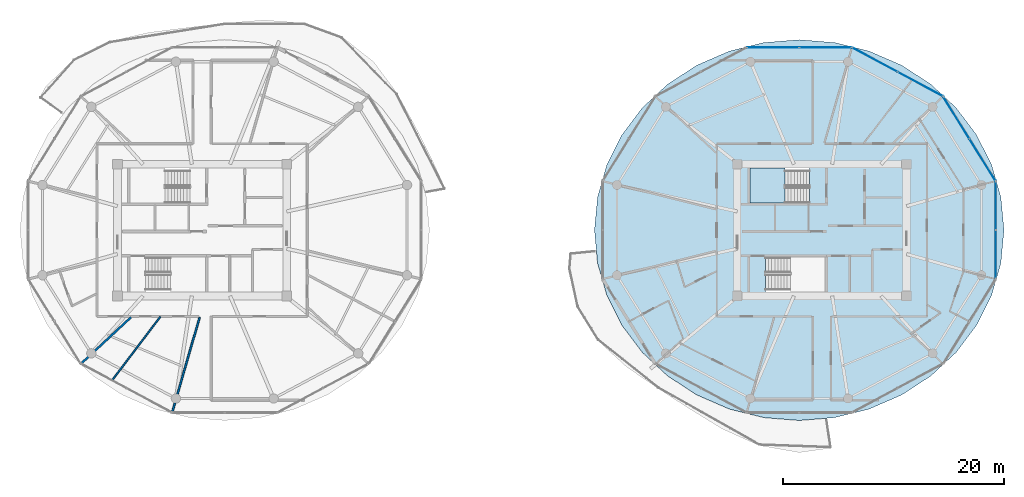
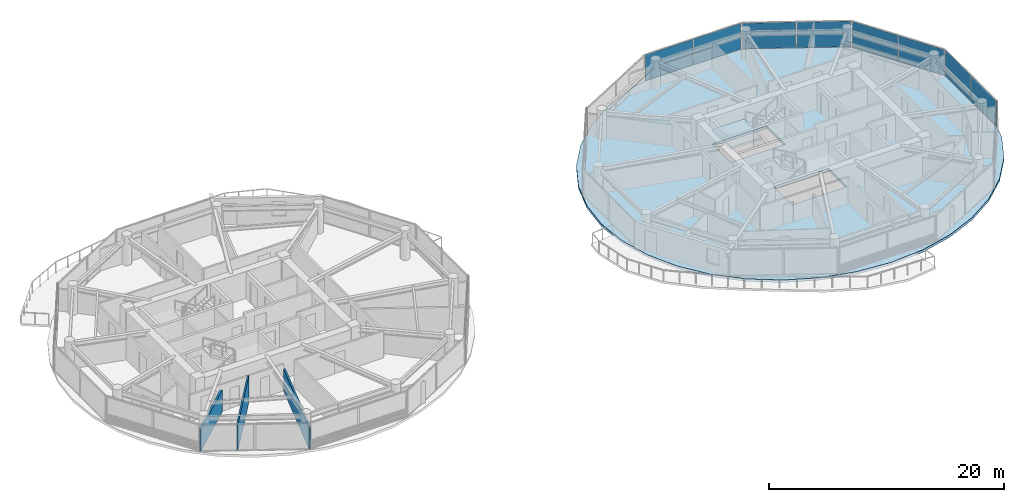
# One storey, part 14 of 23: 8 plates, 3 walls, 2 slabs, 5 elements without a shape of their own.
"""IFC4 building model written with IfcOpenShell, lengths in metres."""

from ifc_helpers import new_model, si_unit, direction, frame, frame_2d, origin, origin_2d, place, context, subcontext, project, spatial, polyline, rectangle, outline, extrude, source, transform, mapped, material, layer, layer_set, type_object, type_shapes, element, aggregate, save


model = new_model("IFC4")

# Units and contexts
model_context = context("Model", 3, precision=1e-05, world=origin(), true_north=direction((0.0, 1.0)))
body_context = subcontext(model_context, "Body", "Model", "MODEL_VIEW")
ifc_project = project(units=[si_unit("LENGTHUNIT", "METRE"), si_unit("AREAUNIT", "SQUARE_METRE"), si_unit("VOLUMEUNIT", "CUBIC_METRE"), si_unit("PLANEANGLEUNIT", "RADIAN"), si_unit("MASSUNIT", "GRAM", prefix="KILO")], contexts=[model_context])

# Site, building, storey
site_placement = place(None, origin())
site = spatial("IfcSite", under=ifc_project, at=site_placement, CompositionType="ELEMENT")
building_placement = place(site_placement, origin())
building = spatial("IfcBuilding", under=site, at=building_placement, Name="Norrkilde Senior Care Towers", CompositionType="ELEMENT")
storey_placement = place(building_placement, frame((0.0, 0.0, 81.0)))
storey = spatial("IfcBuildingStorey", under=building, at=storey_placement, Name="L24", CompositionType="ELEMENT", Elevation=81.0)

# Stair, slab
ifc_material_1 = material(Name="Concrete C45/55", Category="concrete")
stair_type = type_object("IfcStairType", Name="Core Protected Dogleg Stair Typical 3050", PredefinedType="HALF_TURN_STAIR", material=ifc_material_1)
stair_placement = place(storey_placement, origin())
stair = element("IfcStair", 1, at=stair_placement, inside=storey, type_object=stair_type, Name="L24 Protected Core Stair E1", PredefinedType="HALF_TURN_STAIR")
ifc_layer_1 = layer(ifc_material_1, 0.199951171875)
ifc_layer_set_1 = layer_set([ifc_layer_1], Name="Concrete C45/55")
slab_type_1 = type_object("IfcSlabType", Name="Stair Landing Slab 200", PredefinedType="LANDING", material=ifc_layer_set_1)
slab_1_placement = place(storey_placement, frame((0.0, 0.0, 1.324951171875)))
slab_1 = element("IfcSlab", 2, at=slab_1_placement, type_object=slab_type_1, Name="ST-E1 landing 1", PredefinedType="LANDING", context=body_context, shape_type="SweptSolid", body=[
    extrude(outline(polyline([(24.659912109375, 5.590087890625), (21.5, 5.590087890625), (21.5, 2.449951171875), (24.659912109375, 2.449951171875), (24.659912109375, 5.590087890625)])), origin(), (0.0, 0.0, 1.0), 0.199951171875),
])
aggregate(stair, [slab_1])

# Slab
ifc_material_2 = material(Name="Concrete C50/60", Category="concrete")
ifc_layer_2 = layer(ifc_material_2, 0.260009765625)
ifc_layer_set_2 = layer_set([ifc_layer_2], Name="Concrete C50/60")
slab_type_2 = type_object("IfcSlabType", Name="Tower Care Floor Slab 260", PredefinedType="FLOOR", material=ifc_layer_set_2)
slab_2_placement = place(storey_placement, frame((0.0, 0.0, -0.260009765625)))
element("IfcSlab", 3, at=slab_2_placement, inside=storey, type_object=slab_type_2, Name="L24 Drum E Structural Floor Slab", PredefinedType="FLOOR", context=body_context, shape_type="SweptSolid", body=[
    extrude(outline(polyline([(43.334228515625, -5.8828125), (41.971435546875, -8.60009765625), (40.121826171875, -11.055908203125), (37.841552734375, -13.176025390625), (35.199951171875, -14.895751953125), (32.27734375, -16.16259765625), (29.16259765625, -16.938720703125), (25.949951171875, -17.199951171875), (22.737548828125, -16.938720703125), (19.62255859375, -16.16259765625), (16.699951171875, -14.895751953125), (14.058349609375, -13.176025390625), (11.778076171875, -11.055908203125), (9.928466796875, -8.60009765625), (8.565673828125, -5.8828125), (7.73095703125, -2.98681640625), (7.449951171875, 0.0), (7.73095703125, 2.98681640625), (8.565673828125, 5.8828125), (9.928466796875, 8.60009765625), (11.778076171875, 11.055908203125), (14.058349609375, 13.176025390625), (16.699951171875, 14.895751953125), (19.62255859375, 16.16259765625), (22.737548828125, 16.938720703125), (25.949951171875, 17.199951171875), (29.16259765625, 16.938720703125), (32.27734375, 16.16259765625), (35.199951171875, 14.895751953125), (37.841552734375, 13.176025390625), (40.121826171875, 11.055908203125), (41.971435546875, 8.60009765625), (43.334228515625, 5.8828125), (44.1689453125, 2.98681640625), (44.449951171875, 0.0), (44.1689453125, -2.98681640625), (43.334228515625, -5.8828125)]), holes=[polyline([(21.51806640625, 2.468017578125), (26.882080078125, 2.468017578125), (26.882080078125, 5.590087890625), (21.51806640625, 5.590087890625), (21.51806640625, 2.468017578125)]), polyline([(28.281982421875, -5.590087890625), (28.281982421875, -2.468017578125), (22.91796875, -2.468017578125), (22.91796875, -5.590087890625), (28.281982421875, -5.590087890625)])]), origin(), (0.0, 0.0, 1.0), 0.260009765625),
])

# Curtain wall, plates
ifc_material_3 = material(Name="Triple Low-E Insulated Glazing", Category="glass")
ifc_layer_3 = layer(ifc_material_3, 0.195068359375)
ifc_layer_set_3 = layer_set([ifc_layer_3], Name="Triple Low-E Insulated Glazing")
curtain_wall_type = type_object("IfcCurtainWallType", Name="CW3 Zone 2 Assisted Living Curtain Wall", PredefinedType="NOTDEFINED", material=ifc_layer_set_3)
curtain_wall_1_placement = place(storey_placement, origin())
curtain_wall_1 = element("IfcCurtainWall", 4, at=curtain_wall_1_placement, inside=storey, type_object=curtain_wall_type, Name="L24 Drum E Curtain Wall 00", PredefinedType="NOTDEFINED")
ifc_layer_4 = layer(ifc_material_3, 0.035888671875)
ifc_layer_set_4 = layer_set([ifc_layer_4], Name="Triple Low-E Insulated Glazing")
plate_type = type_object("IfcPlateType", Name="Triple Low-E Vision Curtain Panel 36", PredefinedType="CURTAIN_PANEL", material=ifc_layer_set_4)
shared_shape_1 = source(origin(), body_context, "Body", "SweptSolid", [
    extrude(rectangle(XDim=4.40966796875, YDim=0.035888671875, at=origin_2d()), origin(), (0.0, 0.0, 1.0), 2.669921875),
])
plate_1_placement = place(storey_placement, frame((40.14453125, 10.1494140625, 0.06005859375), z_axis=(0.0, 0.0, 1.0), x_axis=(0.527733228002, -0.849410171862, 0.0)))
plate_1 = element("IfcPlate", 5, at=plate_1_placement, type_object=plate_type, Name="CW-3 panel 1.1", PredefinedType="CURTAIN_PANEL", context=body_context, shape_type="MappedRepresentation", body=[
    mapped(shared_shape_1, transform((0.0, 0.0, 0.0), x_axis=(1.0, 0.0, 0.0), y_axis=(0.0, 1.0, 0.0), z_axis=(0.0, 0.0, 1.0), scale=1.0)),
])
plate_2_placement = place(storey_placement, frame((42.505859375, 6.3486328125, 0.06005859375), z_axis=(0.0, 0.0, 1.0), x_axis=(0.527733228002, -0.849410171862, 0.0)))
plate_2 = element("IfcPlate", 6, at=plate_2_placement, type_object=plate_type, Name="CW-3 panel 2.1", PredefinedType="CURTAIN_PANEL", context=body_context, shape_type="MappedRepresentation", body=[
    mapped(shared_shape_1, transform((0.0, 0.0, 0.0), x_axis=(1.0, 0.0, 0.0), y_axis=(0.0, 1.0, 0.0), z_axis=(0.0, 0.0, 1.0), scale=1.0)),
])
aggregate(curtain_wall_1, [plate_1, plate_2])

curtain_wall_2_placement = place(storey_placement, origin())
curtain_wall_2 = element("IfcCurtainWall", 7, at=curtain_wall_2_placement, inside=storey, type_object=curtain_wall_type, Name="L24 Drum E Curtain Wall 02", PredefinedType="NOTDEFINED")
shared_shape_2 = source(origin(), body_context, "Body", "SweptSolid", [
    extrude(rectangle(XDim=4.65966796875, YDim=0.035888671875, at=origin_2d()), origin(), (0.0, 0.0, 1.0), 2.669921875),
])
plate_3_placement = place(storey_placement, frame((23.587646484375, 16.498046875, 0.06005859375), z_axis=(0.0, 0.0, 1.0), x_axis=(1.0, 0.0, 0.0)))
plate_3 = element("IfcPlate", 8, at=plate_3_placement, type_object=plate_type, Name="CW-3 panel 1.1", PredefinedType="CURTAIN_PANEL", context=body_context, shape_type="MappedRepresentation", body=[
    mapped(shared_shape_2, transform((0.0, 0.0, 0.0), x_axis=(1.0, 0.0, 0.0), y_axis=(0.0, 1.0, 0.0), z_axis=(0.0, 0.0, 1.0), scale=1.0)),
])
plate_4_placement = place(storey_placement, frame((28.312255859375, 16.498046875, 0.06005859375), z_axis=(0.0, 0.0, 1.0), x_axis=(1.0, 0.0, 0.0)))
plate_4 = element("IfcPlate", 9, at=plate_4_placement, type_object=plate_type, Name="CW-3 panel 2.1", PredefinedType="CURTAIN_PANEL", context=body_context, shape_type="MappedRepresentation", body=[
    mapped(shared_shape_2, transform((0.0, 0.0, 0.0), x_axis=(1.0, 0.0, 0.0), y_axis=(0.0, 1.0, 0.0), z_axis=(0.0, 0.0, 1.0), scale=1.0)),
])
aggregate(curtain_wall_2, [plate_3, plate_4])

curtain_wall_3_placement = place(storey_placement, origin())
curtain_wall_3 = element("IfcCurtainWall", 10, at=curtain_wall_3_placement, inside=storey, type_object=curtain_wall_type, Name="L24 Drum E Curtain Wall 01", PredefinedType="NOTDEFINED")
shared_shape_3 = source(origin(), body_context, "Body", "SweptSolid", [
    extrude(rectangle(XDim=4.57763671875, YDim=0.035888671875, at=origin_2d()), origin(), (0.0, 0.0, 1.0), 2.669921875),
])
plate_5_placement = place(storey_placement, frame((32.78125, 15.38525390625, 0.06005859375), z_axis=(0.0, 0.0, 1.0), x_axis=(0.881186184668, -0.472769402511, 0.0)))
plate_5 = element("IfcPlate", 11, at=plate_5_placement, type_object=plate_type, Name="CW-3 panel 1.1", PredefinedType="CURTAIN_PANEL", context=body_context, shape_type="MappedRepresentation", body=[
    mapped(shared_shape_3, transform((0.0, 0.0, 0.0), x_axis=(1.0, 0.0, 0.0), y_axis=(0.0, 1.0, 0.0), z_axis=(0.0, 0.0, 1.0), scale=1.0)),
])
plate_6_placement = place(storey_placement, frame((36.872314453125, 13.190185546875, 0.06005859375), z_axis=(0.0, 0.0, 1.0), x_axis=(0.881186184668, -0.472769402511, 0.0)))
plate_6 = element("IfcPlate", 12, at=plate_6_placement, type_object=plate_type, Name="CW-3 panel 2.1", PredefinedType="CURTAIN_PANEL", context=body_context, shape_type="MappedRepresentation", body=[
    mapped(shared_shape_3, transform((0.0, 0.0, 0.0), x_axis=(1.0, 0.0, 0.0), y_axis=(0.0, 1.0, 0.0), z_axis=(0.0, 0.0, 1.0), scale=1.0)),
])
aggregate(curtain_wall_3, [plate_5, plate_6])

curtain_wall_4_placement = place(storey_placement, origin())
curtain_wall_4 = element("IfcCurtainWall", 13, at=curtain_wall_4_placement, inside=storey, type_object=curtain_wall_type, Name="L24 Drum E Curtain Wall 11", PredefinedType="NOTDEFINED")
shared_shape_4 = source(origin(), body_context, "Body", "SweptSolid", [
    extrude(rectangle(XDim=4.3232421875, YDim=0.035888671875, at=origin_2d()), origin(), (0.0, 0.0, 1.0), 2.669921875),
])
type_shapes(plate_type, [shared_shape_1, shared_shape_2, shared_shape_3, shared_shape_4])
plate_7_placement = place(storey_placement, frame((43.70361328125, 2.194091796875, 0.06005859375), z_axis=(0.0, 0.0, 1.0), x_axis=(0.0, -1.0, 0.0)))
plate_7 = element("IfcPlate", 14, at=plate_7_placement, type_object=plate_type, Name="CW-3 panel 1.1", PredefinedType="CURTAIN_PANEL", context=body_context, shape_type="MappedRepresentation", body=[
    mapped(shared_shape_4, transform((0.0, 0.0, 0.0), x_axis=(1.0, 0.0, 0.0), y_axis=(0.0, 1.0, 0.0), z_axis=(0.0, 0.0, 1.0), scale=1.0)),
])
plate_8_placement = place(storey_placement, frame((43.70361328125, -2.194091796875, 0.06005859375), z_axis=(0.0, 0.0, 1.0), x_axis=(0.0, -1.0, 0.0)))
plate_8 = element("IfcPlate", 15, at=plate_8_placement, type_object=plate_type, Name="CW-3 panel 2.1", PredefinedType="CURTAIN_PANEL", context=body_context, shape_type="MappedRepresentation", body=[
    mapped(shared_shape_4, transform((0.0, 0.0, 0.0), x_axis=(1.0, 0.0, 0.0), y_axis=(0.0, 1.0, 0.0), z_axis=(0.0, 0.0, 1.0), scale=1.0)),
])
aggregate(curtain_wall_4, [plate_7, plate_8])

# Walls
ifc_material_4 = material(Name="Gypsum Acoustic Board")
ifc_layer_5 = layer(ifc_material_4, 0.1650390625)
ifc_layer_set_5 = layer_set([ifc_layer_5], Name="Gypsum Acoustic Board")
wall_type_1 = type_object("IfcWallType", Name="Corridor Rated Partition 165", PredefinedType="PARTITIONING", material=ifc_layer_set_5)
shared_shape_5 = source(origin(), body_context, "Body", "SweptSolid", [
    extrude(rectangle(XDim=8.9892578125, YDim=0.1650390625, at=frame_2d((4.49462890625, 0.0))), origin(), (0.0, 0.0, 1.0), 2.27490234375),
])
type_shapes(wall_type_1, [shared_shape_5])
wall_1_placement = place(storey_placement, frame((-28.221923828125, -7.8798828125, 0.0), z_axis=(0.0, 0.0, 1.0), x_axis=(-0.27702323008, -0.960863221274, 0.0)))
element("IfcWall", 16, at=wall_1_placement, inside=storey, type_object=wall_type_1, Name="WL-INT-L24-W-DEM-08-0", PredefinedType="PARTITIONING", context=body_context, shape_type="MappedRepresentation", body=[
    mapped(shared_shape_5, transform((0.0, 0.0, 0.0), x_axis=(1.0, 0.0, 0.0), y_axis=(0.0, 1.0, 0.0), z_axis=(0.0, 0.0, 1.0), scale=1.0)),
])
ifc_layer_6 = layer(ifc_material_4, 0.18994140625)
ifc_layer_set_6 = layer_set([ifc_layer_6], Name="Gypsum Acoustic Board")
wall_type_2 = type_object("IfcWallType", Name="Unit Demising Acoustic Wall 190", PredefinedType="PARTITIONING", material=ifc_layer_set_6)
shared_shape_6 = source(origin(), body_context, "Body", "SweptSolid", [
    extrude(rectangle(XDim=6.186767578125, YDim=0.18994140625, at=frame_2d((3.09326171875, 0.0))), origin(), (0.0, 0.0, 1.0), 2.27490234375),
])
type_shapes(wall_type_2, [shared_shape_6])
wall_2_placement = place(storey_placement, frame((-34.428955078125, -7.8798828125, 0.0), z_axis=(0.0, 0.0, 1.0), x_axis=(-0.732501077882, -0.680765870841, 0.0)))
element("IfcWall", 17, at=wall_2_placement, inside=storey, type_object=wall_type_2, Name="WL-INT-L24-W-DEM-07-0", PredefinedType="PARTITIONING", context=body_context, shape_type="MappedRepresentation", body=[
    mapped(shared_shape_6, transform((0.0, 0.0, 0.0), x_axis=(1.0, 0.0, 0.0), y_axis=(0.0, 1.0, 0.0), z_axis=(0.0, 0.0, 1.0), scale=1.0)),
])
ifc_layer_7 = layer(ifc_material_4, 0.139892578125)
ifc_layer_set_7 = layer_set([ifc_layer_7], Name="Gypsum Acoustic Board")
wall_type_3 = type_object("IfcWallType", Name="En-suite Wet Room Wall 140", PredefinedType="PARTITIONING", material=ifc_layer_set_7)
shared_shape_7 = source(origin(), body_context, "Body", "SweptSolid", [
    extrude(rectangle(XDim=7.24267578125, YDim=0.139892578125, at=frame_2d((3.621337890625, 0.0))), origin(), (0.0, 0.0, 1.0), 2.77490234375),
])
type_shapes(wall_type_3, [shared_shape_7])
wall_3_placement = place(storey_placement, frame((-31.773681640625, -7.830078125, 0.0), z_axis=(0.0, 0.0, 1.0), x_axis=(-0.605111472002, -0.796140757939, 0.0)))
element("IfcWall", 18, at=wall_3_placement, inside=storey, type_object=wall_type_3, Name="WL-INT-L24-W-MID-07", PredefinedType="PARTITIONING", context=body_context, shape_type="MappedRepresentation", body=[
    mapped(shared_shape_7, transform((0.0, 0.0, 0.0), x_axis=(1.0, 0.0, 0.0), y_axis=(0.0, 1.0, 0.0), z_axis=(0.0, 0.0, 1.0), scale=1.0)),
])

save(model, "model.ifc")
